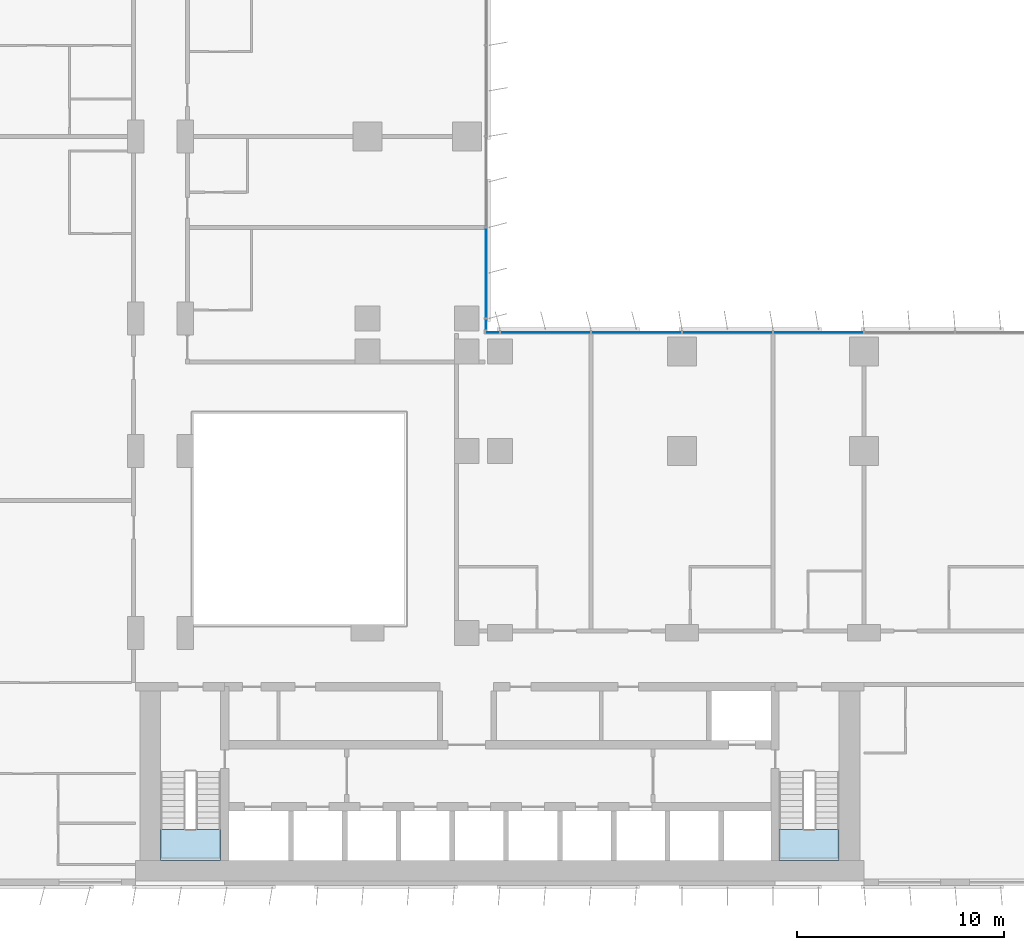
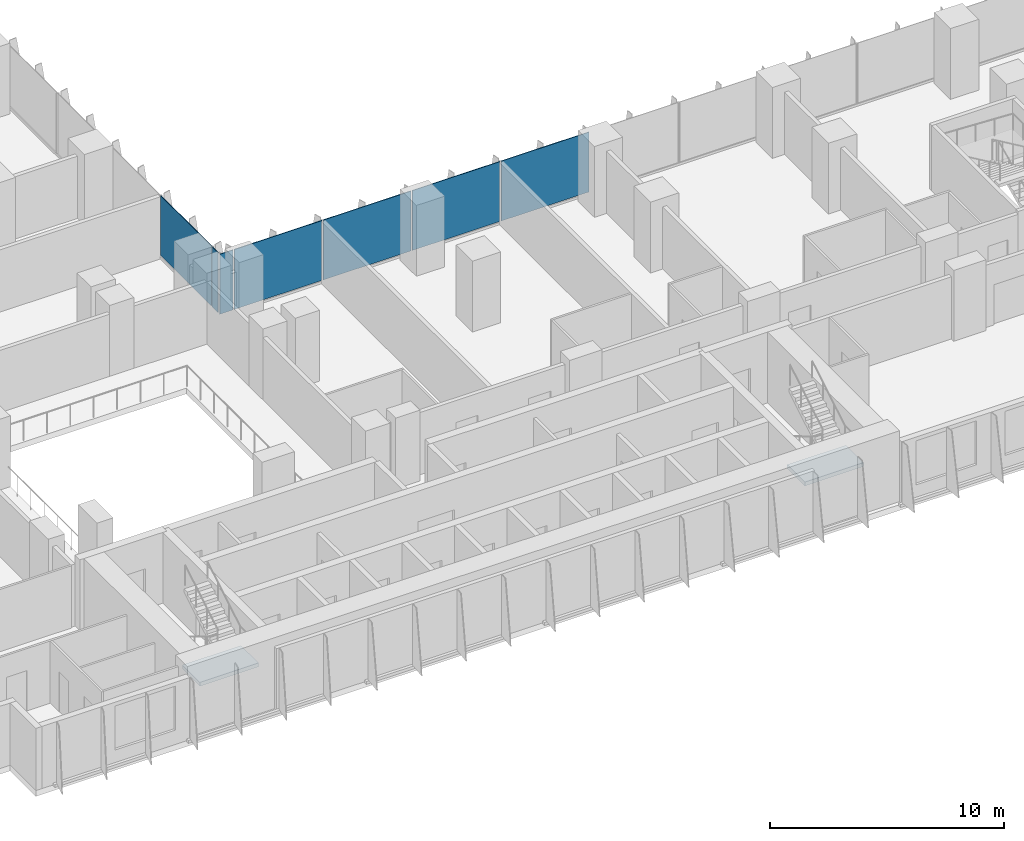
# One storey, part 10 of 24: 7 plates, 2 slabs, 4 elements without a shape of their own.
"""IFC4 building model written with IfcOpenShell, lengths in metres."""

from ifc_helpers import new_model, si_unit, direction, frame, origin, origin_2d, place, context, subcontext, project, spatial, polyline, rectangle, outline, extrude, source, transform, mapped, material, layer, layer_set, type_object, element, aggregate, save


model = new_model("IFC4")

# Units and contexts
model_context = context("Model", 3, precision=1e-05, world=origin(), true_north=direction((0.0, 1.0)))
body_context = subcontext(model_context, "Body", "Model", "MODEL_VIEW")
ifc_project = project(units=[si_unit("LENGTHUNIT", "METRE"), si_unit("AREAUNIT", "SQUARE_METRE"), si_unit("VOLUMEUNIT", "CUBIC_METRE"), si_unit("PLANEANGLEUNIT", "RADIAN"), si_unit("MASSUNIT", "GRAM", prefix="KILO")], contexts=[model_context])

# Site, building, storey
site_placement = place(None, origin())
site = spatial("IfcSite", under=ifc_project, at=site_placement, CompositionType="ELEMENT")
building_placement = place(site_placement, origin())
building = spatial("IfcBuilding", under=site, at=building_placement, Name="Kemantara Hotel Tower", CompositionType="ELEMENT")
storey_placement = place(building_placement, frame((0.0, 0.0, 79.699951171875)))
storey = spatial("IfcBuildingStorey", under=building, at=storey_placement, Name="L18", CompositionType="ELEMENT", Elevation=79.699951171875)

# Stair, slab
ifc_material_1 = material(Name="Concrete fc 40 MPa", Category="concrete")
stair_type = type_object("IfcStairType", Name="Stair 1200 wide 22 risers of 168 x 280 mm", PredefinedType="HALF_TURN_STAIR", material=ifc_material_1)
stair_1_placement = place(storey_placement, origin())
stair_1 = element("IfcStair", 1, at=stair_1_placement, inside=storey, type_object=stair_type, Name="L18 Exit stair ST1", PredefinedType="HALF_TURN_STAIR")
ifc_layer_1 = layer(ifc_material_1, 0.199951171875)
ifc_layer_set_1 = layer_set([ifc_layer_1], Name="Concrete fc 40 MPa")
slab_type = type_object("IfcSlabType", Name="Stair landing 200 mm", PredefinedType="LANDING", material=ifc_layer_set_1)
slab_1_placement = place(storey_placement, frame((0.0, 0.0, 1.650146484375)))
slab_1 = element("IfcSlab", 2, at=slab_1_placement, type_object=slab_type, Name="ST1 landing 1", PredefinedType="LANDING", context=body_context, shape_type="SweptSolid", body=[
    extrude(outline(polyline([(11.0, 2.699951171875), (11.0, 1.199951171875), (13.89990234375, 1.199951171875), (13.89990234375, 2.699951171875), (11.0, 2.699951171875)])), origin(), (0.0, 0.0, 1.0), 0.199951171875),
])
aggregate(stair_1, [slab_1])

stair_2_placement = place(storey_placement, origin())
stair_2 = element("IfcStair", 3, at=stair_2_placement, inside=storey, type_object=stair_type, Name="L18 Exit stair ST2", PredefinedType="HALF_TURN_STAIR")
slab_2_placement = place(storey_placement, frame((0.0, 0.0, 1.650146484375)))
slab_2 = element("IfcSlab", 4, at=slab_2_placement, type_object=slab_type, Name="ST2 landing 1", PredefinedType="LANDING", context=body_context, shape_type="SweptSolid", body=[
    extrude(outline(polyline([(40.89990234375, 2.699951171875), (40.89990234375, 1.199951171875), (43.800048828125, 1.199951171875), (43.800048828125, 2.699951171875), (40.89990234375, 2.699951171875)])), origin(), (0.0, 0.0, 1.0), 0.199951171875),
])
aggregate(stair_2, [slab_2])

# Curtain wall, plates
ifc_material_2 = material(Name="Low-E tinted double insulated glass 36 mm", Category="glass")
curtain_wall_type = type_object("IfcCurtainWallType", Name="TOWER CURTAIN WALL, FRONT FACES", PredefinedType="USERDEFINED", material=ifc_material_2)
curtain_wall_1_placement = place(storey_placement, origin())
curtain_wall_1 = element("IfcCurtainWall", 5, at=curtain_wall_1_placement, inside=storey, type_object=curtain_wall_type, Name="CW4 L18 T1-R07-1", ObjectType="TOWER CURTAIN WALL, FRONT FACES", PredefinedType="USERDEFINED")
ifc_layer_2 = layer(ifc_material_2, 0.035888671875)
ifc_layer_set_2 = layer_set([ifc_layer_2], Name="Low-E tinted double insulated glass 36 mm")
plate_type = type_object("IfcPlateType", Name="TOWER CURTAIN WALL, FRONT FACES PANEL", PredefinedType="CURTAIN_PANEL", material=ifc_layer_set_2)
shared_shape_1 = source(origin(), body_context, "Body", "SweptSolid", [
    extrude(rectangle(XDim=4.340087890625, YDim=0.035888671875, at=origin_2d()), origin(), (0.0, 0.0, 1.0), 3.1298828125),
])
plate_1_placement = place(storey_placement, frame((42.800048828125, 26.72509765625, 0.1201171875), z_axis=(0.0, 0.0, 1.0), x_axis=(-1.0, 0.0, 0.0)))
plate_1 = element("IfcPlate", 6, at=plate_1_placement, type_object=plate_type, Name="CW4 glass panel T1-R07-1.9", PredefinedType="CURTAIN_PANEL", context=body_context, shape_type="MappedRepresentation", body=[
    mapped(shared_shape_1, transform((0.0, 0.0, 0.0))),
])
plate_2_placement = place(storey_placement, frame((38.39990234375, 26.72509765625, 0.1201171875), z_axis=(0.0, 0.0, 1.0), x_axis=(-1.0, 0.0, 0.0)))
plate_2 = element("IfcPlate", 7, at=plate_2_placement, type_object=plate_type, Name="CW4 glass panel T1-R07-1.10", PredefinedType="CURTAIN_PANEL", context=body_context, shape_type="MappedRepresentation", body=[
    mapped(shared_shape_1, transform((0.0, 0.0, 0.0))),
])
plate_3_placement = place(storey_placement, frame((34.0, 26.72509765625, 0.1201171875), z_axis=(0.0, 0.0, 1.0), x_axis=(-1.0, 0.0, 0.0)))
plate_3 = element("IfcPlate", 8, at=plate_3_placement, type_object=plate_type, Name="CW4 glass panel T1-R07-1.11", PredefinedType="CURTAIN_PANEL", context=body_context, shape_type="MappedRepresentation", body=[
    mapped(shared_shape_1, transform((0.0, 0.0, 0.0))),
])
plate_4_placement = place(storey_placement, frame((29.60009765625, 26.72509765625, 0.1201171875), z_axis=(0.0, 0.0, 1.0), x_axis=(-1.0, 0.0, 0.0)))
plate_4 = element("IfcPlate", 9, at=plate_4_placement, type_object=plate_type, Name="CW4 glass panel T1-R07-1.12", PredefinedType="CURTAIN_PANEL", context=body_context, shape_type="MappedRepresentation", body=[
    mapped(shared_shape_1, transform((0.0, 0.0, 0.0))),
])

# Curtain wall, plate
curtain_wall_2_placement = place(storey_placement, origin())
curtain_wall_2 = element("IfcCurtainWall", 10, at=curtain_wall_2_placement, inside=storey, type_object=curtain_wall_type, Name="CW4 L18 T1-R08-1", ObjectType="TOWER CURTAIN WALL, FRONT FACES", PredefinedType="USERDEFINED")
plate_5_placement = place(storey_placement, frame((26.72509765625, 29.60009765625, 0.1201171875), z_axis=(0.0, 0.0, 1.0), x_axis=(0.0, 1.0, 0.0)))
plate_5 = element("IfcPlate", 11, at=plate_5_placement, type_object=plate_type, Name="CW4 glass panel T1-R08-1.2", PredefinedType="CURTAIN_PANEL", context=body_context, shape_type="MappedRepresentation", body=[
    mapped(shared_shape_1, transform((0.0, 0.0, 0.0))),
])

# Plate
shared_shape_2 = source(origin(), body_context, "Body", "SweptSolid", [
    extrude(rectangle(XDim=0.659912109375, YDim=0.035888671875, at=origin_2d()), origin(), (0.0, 0.0, 1.0), 3.1298828125),
])
plate_6_placement = place(storey_placement, frame((27.0400390625, 26.72509765625, 0.1201171875), z_axis=(0.0, 0.0, 1.0), x_axis=(-1.0, 0.0, 0.0)))
plate_6 = element("IfcPlate", 12, at=plate_6_placement, type_object=plate_type, Name="CW4 glass panel T1-R07-1.13", PredefinedType="CURTAIN_PANEL", context=body_context, shape_type="MappedRepresentation", body=[
    mapped(shared_shape_2, transform((0.0, 0.0, 0.0))),
])

aggregate(curtain_wall_1, [plate_1, plate_2, plate_3, plate_4, plate_6])

shared_shape_3 = source(origin(), body_context, "Body", "SweptSolid", [
    extrude(rectangle(XDim=0.510009765625, YDim=0.035888671875, at=origin_2d()), origin(), (0.0, 0.0, 1.0), 3.1298828125),
])
plate_7_placement = place(storey_placement, frame((26.72509765625, 27.114990234375, 0.1201171875), z_axis=(0.0, 0.0, 1.0), x_axis=(0.0, 1.0, 0.0)))
plate_7 = element("IfcPlate", 13, at=plate_7_placement, type_object=plate_type, Name="CW4 glass panel T1-R08-1.1", PredefinedType="CURTAIN_PANEL", context=body_context, shape_type="MappedRepresentation", body=[
    mapped(shared_shape_3, transform((0.0, 0.0, 0.0))),
])

aggregate(curtain_wall_2, [plate_7, plate_5])

save(model, "model.ifc")
